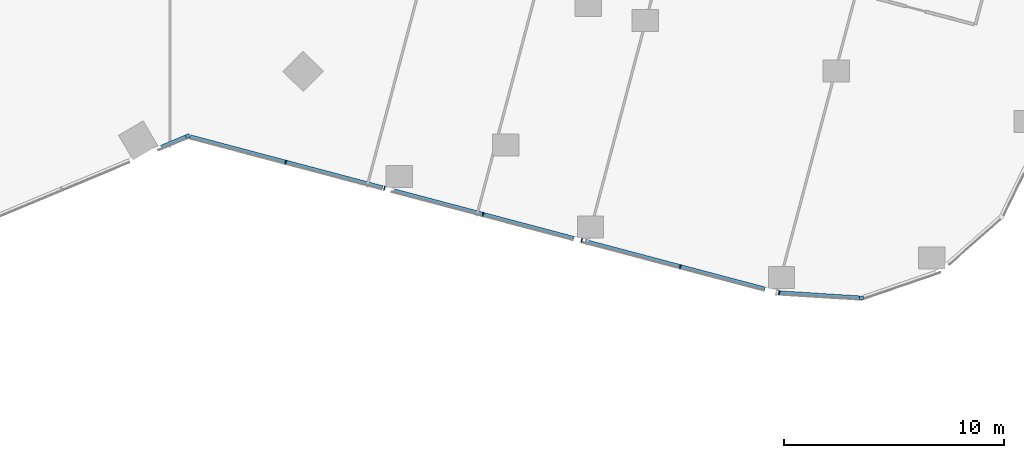
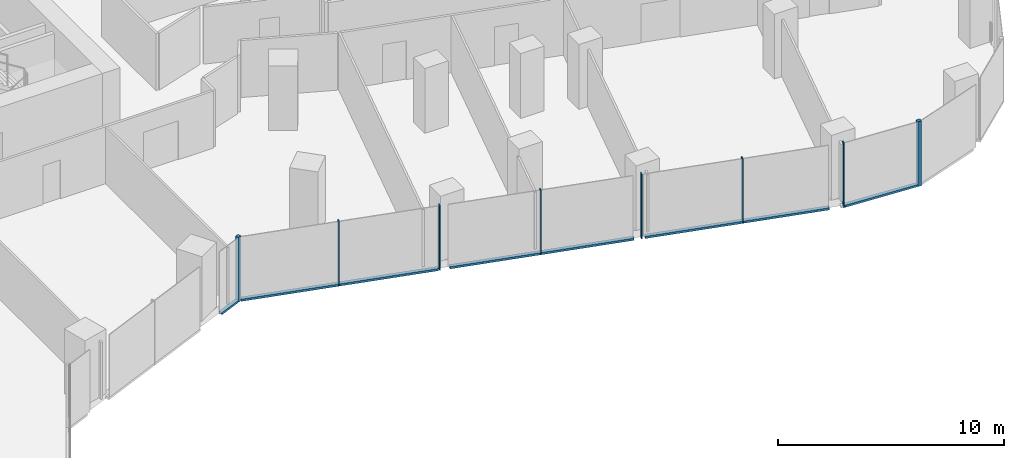
# One storey, part 9 of 34: 13 members, 3 elements without a shape of their own.
"""IFC4 building model written with IfcOpenShell, lengths in metres."""

from ifc_helpers import new_model, si_unit, direction, frame, origin, origin_2d, place, context, subcontext, project, spatial, rectangle, extrude, material, material_profile, profile_set, type_object, element, aggregate, save


model = new_model("IFC4")

# Units and contexts
model_context = context("Model", 3, precision=1e-05, world=origin(), true_north=direction((0.0, 1.0)))
body_context = subcontext(model_context, "Body", "Model", "MODEL_VIEW")
ifc_project = project(units=[si_unit("LENGTHUNIT", "METRE"), si_unit("AREAUNIT", "SQUARE_METRE"), si_unit("VOLUMEUNIT", "CUBIC_METRE"), si_unit("PLANEANGLEUNIT", "RADIAN"), si_unit("MASSUNIT", "GRAM", prefix="KILO")], contexts=[model_context])

# Site, building, storey
site_placement = place(None, origin())
site = spatial("IfcSite", under=ifc_project, at=site_placement, CompositionType="ELEMENT")
building_placement = place(site_placement, origin())
building = spatial("IfcBuilding", under=site, at=building_placement, Name="Orlundy Tower", CompositionType="ELEMENT")
storey_placement = place(building_placement, frame((0.0, 0.0, 112.699951171875)))
storey = spatial("IfcBuildingStorey", under=building, at=storey_placement, Name="L28", CompositionType="ELEMENT", Elevation=112.699951171875)

# Curtain wall, member
ifc_material_1 = material(Name="Aluminium bronze anodised", Category="aluminium")
curtain_wall_type = type_object("IfcCurtainWallType", Name="CW1 wall", PredefinedType="NOTDEFINED", material=ifc_material_1)
curtain_wall_1_placement = place(storey_placement, origin())
curtain_wall_1 = element("IfcCurtainWall", 1, at=curtain_wall_1_placement, inside=storey, type_object=curtain_wall_type, Name="CW1 run 01", PredefinedType="NOTDEFINED")
ifc_material_2 = material(Name="Aluminium bronze anodised", Category="aluminium")
ifc_material_profile_1 = material_profile(ifc_material_2, rectangle(XDim=0.179931640625, YDim=0.179931640625, at=origin_2d()), Name="CW1 corner post 180x180")
ifc_profile_set_1 = profile_set([ifc_material_profile_1], Name="Aluminium bronze anodised")
member_type_1 = type_object("IfcMemberType", Name="CW1 corner post 180x180", PredefinedType="MULLION", material=ifc_profile_set_1)
member_1_placement = place(storey_placement, frame((17.32861328125, -25.371826171875, -0.39990234375), z_axis=(0.0, 0.0, 1.0), x_axis=(0.385377262048, -0.922759105019, 0.0)))
member_1 = element("IfcMember", 2, at=member_1_placement, type_object=member_type_1, Name="CW1 mullion 7", PredefinedType="MULLION", context=body_context, shape_type="SweptSolid", body=[
    extrude(rectangle(XDim=0.179931640625, YDim=0.179931640625, at=origin_2d()), origin(), (0.0, 0.0, 1.0), 3.5),
])

curtain_wall_2_placement = place(storey_placement, origin())
curtain_wall_2 = element("IfcCurtainWall", 3, at=curtain_wall_2_placement, inside=storey, type_object=curtain_wall_type, Name="CW1 run 027", PredefinedType="NOTDEFINED")
member_2_placement = place(storey_placement, frame((47.892333984375, -32.712890625, -0.39990234375), z_axis=(0.0, 0.0, 1.0), x_axis=(-0.06257980311, -0.998039963249, 0.0)))
member_2 = element("IfcMember", 4, at=member_2_placement, type_object=member_type_1, Name="CW1 mullion 68", PredefinedType="MULLION", context=body_context, shape_type="SweptSolid", body=[
    extrude(rectangle(XDim=0.179931640625, YDim=0.179931640625, at=origin_2d()), origin(), (0.0, 0.0, 1.0), 3.5),
])

# Curtain wall, members
curtain_wall_3_placement = place(storey_placement, origin())
curtain_wall_3 = element("IfcCurtainWall", 5, at=curtain_wall_3_placement, inside=storey, type_object=curtain_wall_type, Name="CW1 run 00", PredefinedType="NOTDEFINED")
ifc_material_3 = material(Name="Aluminium bronze anodised", Category="aluminium")
ifc_material_profile_2 = material_profile(ifc_material_3, rectangle(XDim=0.179931640625, YDim=0.050048828125, at=origin_2d()), Name="CW1 mullion 50x180")
ifc_profile_set_2 = profile_set([ifc_material_profile_2], Name="Aluminium bronze anodised")
member_type_2 = type_object("IfcMemberType", Name="CW1 mullion 50x180", PredefinedType="MULLION", material=ifc_profile_set_2)
member_3_placement = place(storey_placement, frame((44.16552734375, -32.479248046875, -0.39990234375), z_axis=(0.0, 0.0, 1.0), x_axis=(-0.160065696582, -0.987106363457, 0.0)))
member_3 = element("IfcMember", 6, at=member_3_placement, type_object=member_type_2, Name="CW1 mullion 1", PredefinedType="MULLION", context=body_context, shape_type="SweptSolid", body=[
    extrude(rectangle(XDim=0.179931640625, YDim=0.050048828125, at=origin_2d()), origin(), (0.0, 0.0, 1.0), 3.5),
])
member_4_placement = place(storey_placement, frame((39.6806640625, -31.29150390625, -0.39990234375), z_axis=(0.0, 0.0, 1.0), x_axis=(-0.256011270968, -0.966673796654, 0.0)))
member_4 = element("IfcMember", 7, at=member_4_placement, type_object=member_type_2, Name="CW1 mullion 2", PredefinedType="MULLION", context=body_context, shape_type="SweptSolid", body=[
    extrude(rectangle(XDim=0.179931640625, YDim=0.050048828125, at=origin_2d()), origin(), (0.0, 0.0, 1.0), 3.5),
])
member_5_placement = place(storey_placement, frame((35.204345703125, -30.10595703125, -0.39990234375), z_axis=(0.0, 0.0, 1.0), x_axis=(-0.256011270968, -0.966673796654, 0.0)))
member_5 = element("IfcMember", 8, at=member_5_placement, type_object=member_type_2, Name="CW1 mullion 3", PredefinedType="MULLION", context=body_context, shape_type="SweptSolid", body=[
    extrude(rectangle(XDim=0.179931640625, YDim=0.050048828125, at=origin_2d()), origin(), (0.0, 0.0, 1.0), 3.5),
])
member_6_placement = place(storey_placement, frame((30.72802734375, -28.92041015625, -0.39990234375), z_axis=(0.0, 0.0, 1.0), x_axis=(-0.256011270968, -0.966673796654, 0.0)))
member_6 = element("IfcMember", 9, at=member_6_placement, type_object=member_type_2, Name="CW1 mullion 4", PredefinedType="MULLION", context=body_context, shape_type="SweptSolid", body=[
    extrude(rectangle(XDim=0.179931640625, YDim=0.050048828125, at=origin_2d()), origin(), (0.0, 0.0, 1.0), 3.5),
])
member_7_placement = place(storey_placement, frame((26.251708984375, -27.735107421875, -0.39990234375), z_axis=(0.0, 0.0, 1.0), x_axis=(-0.256011270968, -0.966673796654, 0.0)))
member_7 = element("IfcMember", 10, at=member_7_placement, type_object=member_type_2, Name="CW1 mullion 5", PredefinedType="MULLION", context=body_context, shape_type="SweptSolid", body=[
    extrude(rectangle(XDim=0.179931640625, YDim=0.050048828125, at=origin_2d()), origin(), (0.0, 0.0, 1.0), 3.5),
])
member_8_placement = place(storey_placement, frame((21.775390625, -26.549560546875, -0.39990234375), z_axis=(0.0, 0.0, 1.0), x_axis=(-0.256011270968, -0.966673796654, 0.0)))
member_8 = element("IfcMember", 11, at=member_8_placement, type_object=member_type_2, Name="CW1 mullion 6", PredefinedType="MULLION", context=body_context, shape_type="SweptSolid", body=[
    extrude(rectangle(XDim=0.179931640625, YDim=0.050048828125, at=origin_2d()), origin(), (0.0, 0.0, 1.0), 3.5),
])
ifc_material_4 = material(Name="Aluminium bronze anodised", Category="aluminium")
ifc_material_profile_3 = material_profile(ifc_material_4, rectangle(XDim=0.179931640625, YDim=0.1201171875, at=origin_2d()), Name="CW1 transom 180x120")
ifc_profile_set_3 = profile_set([ifc_material_profile_3], Name="Aluminium bronze anodised")
member_type_3 = type_object("IfcMemberType", Name="CW1 transom 180x120", PredefinedType="USERDEFINED", material=ifc_profile_set_3)
member_9_placement = place(storey_placement, frame((43.51904296875, -32.30810546875, -0.33984375), z_axis=(-0.966671340271, 0.256020545854, 0.0), x_axis=(-0.256020545854, -0.966671340271, 0.0)))
member_9 = element("IfcMember", 12, at=member_9_placement, type_object=member_type_3, Name="CW1 transom", ObjectType="TRANSOM", PredefinedType="USERDEFINED", context=body_context, shape_type="SweptSolid", body=[
    extrude(rectangle(XDim=0.179931640625, YDim=0.1201171875, at=origin_2d()), origin(), (0.0, 0.0, 1.0), 8.441162109375),
])
member_10_placement = place(storey_placement, frame((34.85205078125, -30.0126953125, -0.33984375), z_axis=(-0.9666761779, 0.256002279443, 0.0), x_axis=(-0.256002279443, -0.9666761779, 0.0)))
member_10 = element("IfcMember", 13, at=member_10_placement, type_object=member_type_3, Name="CW1 transom", ObjectType="TRANSOM", PredefinedType="USERDEFINED", context=body_context, shape_type="SweptSolid", body=[
    extrude(rectangle(XDim=0.179931640625, YDim=0.1201171875, at=origin_2d()), origin(), (0.0, 0.0, 1.0), 8.43994140625),
])
member_11_placement = place(storey_placement, frame((26.18408203125, -27.717041015625, -0.33984375), z_axis=(-0.966675575207, 0.25600455523, 0.0), x_axis=(-0.25600455523, -0.966675575207, 0.0)))
member_11 = element("IfcMember", 14, at=member_11_placement, type_object=member_type_3, Name="CW1 transom", ObjectType="TRANSOM", PredefinedType="USERDEFINED", context=body_context, shape_type="SweptSolid", body=[
    extrude(rectangle(XDim=0.179931640625, YDim=0.1201171875, at=origin_2d()), origin(), (0.0, 0.0, 1.0), 9.04736328125),
])
aggregate(curtain_wall_3, [member_3, member_4, member_5, member_6, member_7, member_8, member_9, member_10, member_11])

# Member
member_12_placement = place(storey_placement, frame((17.245361328125, -25.406494140625, -0.33984375), z_axis=(-0.922718263349, -0.385475040025, 0.0), x_axis=(0.385475040025, -0.922718263349, 0.0)))
member_12 = element("IfcMember", 15, at=member_12_placement, type_object=member_type_3, Name="CW1 transom", ObjectType="TRANSOM", PredefinedType="USERDEFINED", context=body_context, shape_type="SweptSolid", body=[
    extrude(rectangle(XDim=0.179931640625, YDim=0.1201171875, at=origin_2d()), origin(), (0.0, 0.0, 1.0), 1.209716796875),
])

aggregate(curtain_wall_1, [member_1, member_12])

member_13_placement = place(storey_placement, frame((47.802490234375, -32.707275390625, -0.33984375), z_axis=(-0.998042590698, 0.062537885736, 0.0), x_axis=(-0.062537885736, -0.998042590698, 0.0)))
member_13 = element("IfcMember", 16, at=member_13_placement, type_object=member_type_3, Name="CW1 transom", ObjectType="TRANSOM", PredefinedType="USERDEFINED", context=body_context, shape_type="SweptSolid", body=[
    extrude(rectangle(XDim=0.179931640625, YDim=0.1201171875, at=origin_2d()), origin(), (0.0, 0.0, 1.0), 3.618896484375),
])

aggregate(curtain_wall_2, [member_2, member_13])

save(model, "model.ifc")
